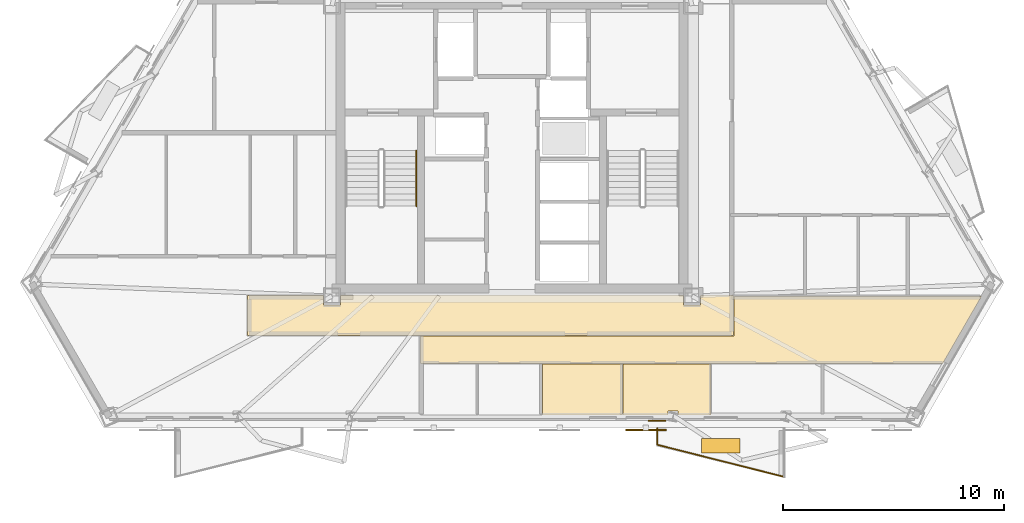
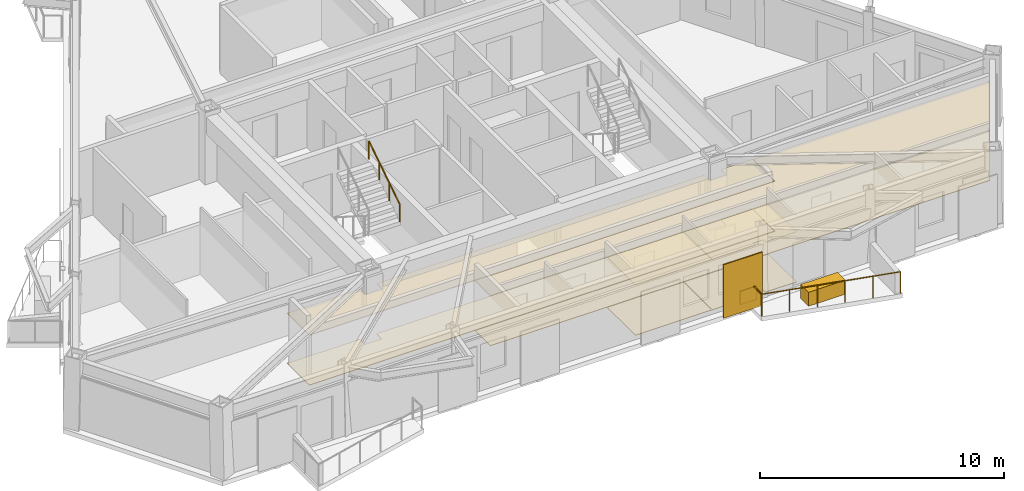
# One storey, part 7 of 10: 10 coverings, 3 railings, 1 shading device.
"""IFC4 building model written with IfcOpenShell, lengths in metres."""

from ifc_helpers import new_model, si_unit, direction, frame, origin, origin_2d, place, context, subcontext, project, spatial, polyline, rectangle, circle, outline, extrude, material, layer, layer_set, type_object, element, save


model = new_model("IFC4")

# Units and contexts
model_context = context("Model", 3, precision=1e-05, world=origin(), true_north=direction((0.0, 1.0)))
body_context = subcontext(model_context, "Body", "Model", "MODEL_VIEW")
ifc_project = project(units=[si_unit("LENGTHUNIT", "METRE"), si_unit("AREAUNIT", "SQUARE_METRE"), si_unit("VOLUMEUNIT", "CUBIC_METRE"), si_unit("PLANEANGLEUNIT", "RADIAN"), si_unit("MASSUNIT", "GRAM", prefix="KILO")], contexts=[model_context])

# Site, building, storey
site_placement = place(None, origin())
site = spatial("IfcSite", under=ifc_project, at=site_placement, CompositionType="ELEMENT")
building_placement = place(site_placement, origin())
building = spatial("IfcBuilding", under=site, at=building_placement, Name="Oramaril Tower", CompositionType="ELEMENT")
storey_placement = place(building_placement, frame((0.0, 0.0, 209.10009765625)))
storey = spatial("IfcBuildingStorey", under=building, at=storey_placement, Name="L55", CompositionType="ELEMENT", Elevation=209.10009765625)

# Coverings
ifc_material_1 = material(Name="Mineral Fibre Acoustic Ceiling")
ifc_layer_1 = layer(ifc_material_1, 0.02001953125)
ifc_layer_set_1 = layer_set([ifc_layer_1], Name="CVT-CEIL")
covering_type_1 = type_object("IfcCoveringType", Name="CVT-CEIL", PredefinedType="CEILING", material=ifc_layer_set_1)
covering_1_placement = place(storey_placement, frame((0.0, 0.0, 2.511962890625)))
element("IfcCovering", 1, at=covering_1_placement, inside=storey, type_object=covering_type_1, Name="L55 Acoustic Suspended Ceiling 1", PredefinedType="CEILING", context=body_context, shape_type="SweptSolid", body=[
    extrude(outline(polyline([(28.955078125, 10.60498046875), (29.7451171875, 10.60498046875), (29.7451171875, 11.030029296875), (45.2548828125, 11.030029296875), (45.2548828125, 10.60498046875), (46.044921875, 10.60498046875), (46.044921875, 11.030029296875), (47.530029296875, 11.030029296875), (47.530029296875, 9.219970703125), (25.52001953125, 9.219970703125), (25.52001953125, 11.030029296875), (28.955078125, 11.030029296875), (28.955078125, 10.60498046875)])), origin(), (0.0, 0.0, 1.0), 0.02001953125),
])
covering_2_placement = place(storey_placement, frame((0.0, 0.0, 2.511962890625)))
element("IfcCovering", 2, at=covering_2_placement, inside=storey, type_object=covering_type_1, Name="L55 Acoustic Suspended Ceiling 5", PredefinedType="CEILING", context=body_context, shape_type="SweptSolid", body=[
    extrude(outline(polyline([(58.769287109375, 10.991943359375), (57.012939453125, 7.94970703125), (33.35791015625, 7.94970703125), (33.35791015625, 9.199951171875), (47.530029296875, 9.199951171875), (47.531982421875, 9.2001953125), (47.533935546875, 9.200439453125), (47.535888671875, 9.200927734375), (47.53759765625, 9.201416015625), (47.539306640625, 9.202392578125), (47.541015625, 9.203369140625), (47.542724609375, 9.20458984375), (47.544189453125, 9.205810546875), (47.54541015625, 9.207275390625), (47.546630859375, 9.208984375), (47.547607421875, 9.210693359375), (47.548583984375, 9.21240234375), (47.549072265625, 9.214111328125), (47.549560546875, 9.216064453125), (47.5498046875, 9.218017578125), (47.550048828125, 9.219970703125), (47.550048828125, 10.991943359375), (58.769287109375, 10.991943359375)])), origin(), (0.0, 0.0, 1.0), 0.02001953125),
])
covering_3_placement = place(storey_placement, frame((0.0, 0.0, 2.511962890625)))
element("IfcCovering", 3, at=covering_3_placement, inside=storey, type_object=covering_type_1, Name="L55 Acoustic Suspended Ceiling 8", PredefinedType="CEILING", context=body_context, shape_type="SweptSolid", body=[
    extrude(outline(polyline([(38.87548828125, 5.625244140625), (38.87548828125, 7.9296875), (42.49658203125, 7.9296875), (42.49658203125, 5.625244140625), (38.87548828125, 5.625244140625)])), origin(), (0.0, 0.0, 1.0), 0.02001953125),
])
covering_4_placement = place(storey_placement, frame((0.0, 0.0, 2.511962890625)))
element("IfcCovering", 4, at=covering_4_placement, inside=storey, type_object=covering_type_1, Name="L55 Acoustic Suspended Ceiling 9", PredefinedType="CEILING", context=body_context, shape_type="SweptSolid", body=[
    extrude(outline(polyline([(45.024169921875, 5.625244140625), (45.024169921875, 5.80419921875), (44.57373046875, 5.80419921875), (44.57373046875, 5.625244140625), (42.5166015625, 5.625244140625), (42.5166015625, 7.9296875), (46.501708984375, 7.9296875), (46.501708984375, 5.625244140625), (45.024169921875, 5.625244140625)])), origin(), (0.0, 0.0, 1.0), 0.02001953125),
])
ifc_material_2 = material(Name="Warm Cream Limestone", Category="masonry")
ifc_layer_2 = layer(ifc_material_2, 0.050048828125)
ifc_layer_set_2 = layer_set([ifc_layer_2], Name="CVT-CLD")
covering_type_2 = type_object("IfcCoveringType", Name="CVT-CLD", PredefinedType="CLADDING", material=ifc_layer_set_2)
covering_5_placement = place(storey_placement, frame((44.06396484375, 5.349365234375, 0.0400390625), z_axis=(0.0, 0.0, 1.0), x_axis=(1.0, 0.0, 0.0)))
element("IfcCovering", 5, at=covering_5_placement, inside=storey, type_object=covering_type_2, Name="L55 Warm Cream Limestone Spandrel Cladding", PredefinedType="CLADDING", context=body_context, shape_type="SweptSolid", body=[
    extrude(rectangle(XDim=0.800048828125, YDim=0.050048828125, at=origin_2d()), origin(), (0.0, 0.0, 1.0), 0.679931640625),
])
covering_6_placement = place(storey_placement, frame((46.94873046875, 4.220703125, 0.0), z_axis=(0.0, 0.0, 1.0), x_axis=(1.0, 0.0, 0.0)))
element("IfcCovering", 6, at=covering_6_placement, inside=storey, type_object=covering_type_2, Name="L55 Structural Tree Planter Box L55-BAL-S2", PredefinedType="CLADDING", context=body_context, shape_type="SweptSolid", body=[
    extrude(rectangle(XDim=1.75, YDim=0.64990234375, at=origin_2d()), origin(), (0.0, 0.0, 1.0), 0.699951171875),
])
ifc_material_3 = material(Name="Honed Quartzite Stone Flooring", Category="masonry")
ifc_layer_3 = layer(ifc_material_3, 0.02490234375)
ifc_layer_set_3 = layer_set([ifc_layer_3], Name="CVT-FLR")
covering_type_3 = type_object("IfcCoveringType", Name="CVT-FLR", PredefinedType="FLOORING", material=ifc_layer_set_3)
covering_7_placement = place(storey_placement, origin())
element("IfcCovering", 7, at=covering_7_placement, inside=storey, type_object=covering_type_3, Name="L55 Honed Stone Floor Finish 1", PredefinedType="FLOORING", context=body_context, shape_type="SweptSolid", body=[
    extrude(outline(polyline([(28.955078125, 10.60498046875), (29.7451171875, 10.60498046875), (29.7451171875, 11.030029296875), (45.2548828125, 11.030029296875), (45.2548828125, 10.60498046875), (46.044921875, 10.60498046875), (46.044921875, 11.030029296875), (47.530029296875, 11.030029296875), (47.530029296875, 9.219970703125), (25.52001953125, 9.219970703125), (25.52001953125, 11.030029296875), (28.955078125, 11.030029296875), (28.955078125, 10.60498046875)])), origin(), (0.0, 0.0, 1.0), 0.02490234375),
])
covering_8_placement = place(storey_placement, origin())
element("IfcCovering", 8, at=covering_8_placement, inside=storey, type_object=covering_type_3, Name="L55 Honed Stone Floor Finish 5", PredefinedType="FLOORING", context=body_context, shape_type="SweptSolid", body=[
    extrude(outline(polyline([(58.769287109375, 10.991943359375), (57.012939453125, 7.94970703125), (33.35791015625, 7.94970703125), (33.35791015625, 9.199951171875), (47.530029296875, 9.199951171875), (47.531982421875, 9.2001953125), (47.533935546875, 9.200439453125), (47.535888671875, 9.200927734375), (47.53759765625, 9.201416015625), (47.539306640625, 9.202392578125), (47.541015625, 9.203369140625), (47.542724609375, 9.20458984375), (47.544189453125, 9.205810546875), (47.54541015625, 9.207275390625), (47.546630859375, 9.208984375), (47.547607421875, 9.210693359375), (47.548583984375, 9.21240234375), (47.549072265625, 9.214111328125), (47.549560546875, 9.216064453125), (47.5498046875, 9.218017578125), (47.550048828125, 9.219970703125), (47.550048828125, 10.991943359375), (58.769287109375, 10.991943359375)])), origin(), (0.0, 0.0, 1.0), 0.02490234375),
])
covering_9_placement = place(storey_placement, origin())
element("IfcCovering", 9, at=covering_9_placement, inside=storey, type_object=covering_type_3, Name="L55 Honed Stone Floor Finish 8", PredefinedType="FLOORING", context=body_context, shape_type="SweptSolid", body=[
    extrude(outline(polyline([(38.87548828125, 5.625244140625), (38.87548828125, 7.9296875), (42.49658203125, 7.9296875), (42.49658203125, 5.625244140625), (38.87548828125, 5.625244140625)])), origin(), (0.0, 0.0, 1.0), 0.02490234375),
])
covering_10_placement = place(storey_placement, origin())
element("IfcCovering", 10, at=covering_10_placement, inside=storey, type_object=covering_type_3, Name="L55 Honed Stone Floor Finish 9", PredefinedType="FLOORING", context=body_context, shape_type="SweptSolid", body=[
    extrude(outline(polyline([(45.024169921875, 5.625244140625), (45.024169921875, 5.80419921875), (44.57373046875, 5.80419921875), (44.57373046875, 5.625244140625), (42.5166015625, 5.625244140625), (42.5166015625, 7.9296875), (46.501708984375, 7.9296875), (46.501708984375, 5.625244140625), (45.024169921875, 5.625244140625)])), origin(), (0.0, 0.0, 1.0), 0.02490234375),
])

# Railings
ifc_material_4 = material(Name="Stainless Steel 316L", Category="steel")
railing_type_1 = type_object("IfcRailingType", Name="RLT-GRD", PredefinedType="GUARDRAIL", material=ifc_material_4)
railing_1_placement = place(storey_placement, frame((49.813720703125, 2.8173828125, 0.0)))
element("IfcRailing", 11, at=railing_1_placement, inside=storey, type_object=railing_type_1, Name="L55 Balcony Guardrail L55-BAL-S2.2", PredefinedType="GUARDRAIL", context=body_context, shape_type="SweptSolid", body=[
    extrude(circle(Radius=0.02392578125, at=origin_2d()), frame((0.0, 0.0, 1.076171875), z_axis=(-0.969443611257, 0.245314256807, 0.0), x_axis=(-0.245314256807, -0.969443611257, 0.0)), (0.0, 0.0, 1.0), 5.91064453125),
    extrude(circle(Radius=0.02099609375, at=origin_2d()), origin(), (0.0, 0.0, 1.0), 1.052001953125),
    extrude(circle(Radius=0.02099609375, at=origin_2d()), frame((-1.14599609375, 0.2900390625, 0.0)), (0.0, 0.0, 1.0), 1.052001953125),
    extrude(circle(Radius=0.02099609375, at=origin_2d()), frame((-2.2919921875, 0.580078125, 0.0)), (0.0, 0.0, 1.0), 1.052001953125),
    extrude(circle(Radius=0.02099609375, at=origin_2d()), frame((-3.43798828125, 0.869873046875, 0.0)), (0.0, 0.0, 1.0), 1.052001953125),
    extrude(circle(Radius=0.02099609375, at=origin_2d()), frame((-4.583984375, 1.159912109375, 0.0)), (0.0, 0.0, 1.0), 1.052001953125),
    extrude(circle(Radius=0.02099609375, at=origin_2d()), frame((-5.72998046875, 1.449951171875, 0.0)), (0.0, 0.0, 1.0), 1.052001953125),
])
railing_2_placement = place(storey_placement, frame((44.083740234375, 4.267333984375, 0.0)))
element("IfcRailing", 12, at=railing_2_placement, inside=storey, type_object=railing_type_1, Name="L55 Balcony Guardrail L55-BAL-S2.3", PredefinedType="GUARDRAIL", context=body_context, shape_type="SweptSolid", body=[
    extrude(circle(Radius=0.02392578125, at=origin_2d()), frame((0.0, 0.0, 1.076171875), z_axis=(0.0, 1.0, 0.0), x_axis=(-1.0, 0.0, 0.0)), (0.0, 0.0, 1.0), 0.741943359375),
    extrude(circle(Radius=0.02099609375, at=origin_2d()), origin(), (0.0, 0.0, 1.0), 1.052001953125),
    extrude(circle(Radius=0.02099609375, at=origin_2d()), frame((0.0, 0.741943359375, 0.0)), (0.0, 0.0, 1.0), 1.052001953125),
])
ifc_material_5 = material(Name="Stainless Steel 316L", Category="steel")
railing_type_2 = type_object("IfcRailingType", Name="RLT-HND", PredefinedType="HANDRAIL", material=ifc_material_5)
railing_3_placement = place(storey_placement, frame((33.169921875, 15.070068359375, 1.97998046875)))
element("IfcRailing", 13, at=railing_3_placement, inside=storey, type_object=railing_type_2, Name="L55 ST-1 stair handrail 2", PredefinedType="HANDRAIL", context=body_context, shape_type="SweptSolid", body=[
    extrude(circle(Radius=0.02392578125, at=origin_2d()), frame((0.0, 0.0, 0.8759765625), z_axis=(0.0, 0.841199657755, 0.540724639528), x_axis=(-1.0, 0.0, 0.0)), (0.0, 0.0, 1.0), 2.995849609375),
    extrude(circle(Radius=0.02099609375, at=origin_2d()), origin(), (0.0, 0.0, 1.0), 0.851806640625),
    extrude(circle(Radius=0.02099609375, at=origin_2d()), frame((0.0, 0.840087890625, 0.5400390625)), (0.0, 0.0, 1.0), 0.851806640625),
    extrude(circle(Radius=0.02099609375, at=origin_2d()), frame((0.0, 1.679931640625, 1.079833984375)), (0.0, 0.0, 1.0), 0.851806640625),
    extrude(circle(Radius=0.02099609375, at=origin_2d()), frame((0.0, 2.52001953125, 1.619873046875)), (0.0, 0.0, 1.0), 0.851806640625),
])

# Shading device
shading_device_placement = place(storey_placement, frame((43.561279296875, 4.937255859375, -0.02001953125), z_axis=(0.0, 0.0, 1.0), x_axis=(1.0, 0.0, 0.0)))
element("IfcShadingDevice", 14, at=shading_device_placement, inside=storey, Name="L55 Perforated Ceramic Solar Screen", ObjectType="SCREEN", PredefinedType="USERDEFINED", context=body_context, shape_type="SweptSolid", body=[
    extrude(rectangle(XDim=1.8330078125, YDim=0.050048828125, at=origin_2d()), origin(), (0.0, 0.0, 1.0), 2.677001953125),
])

save(model, "model.ifc")
